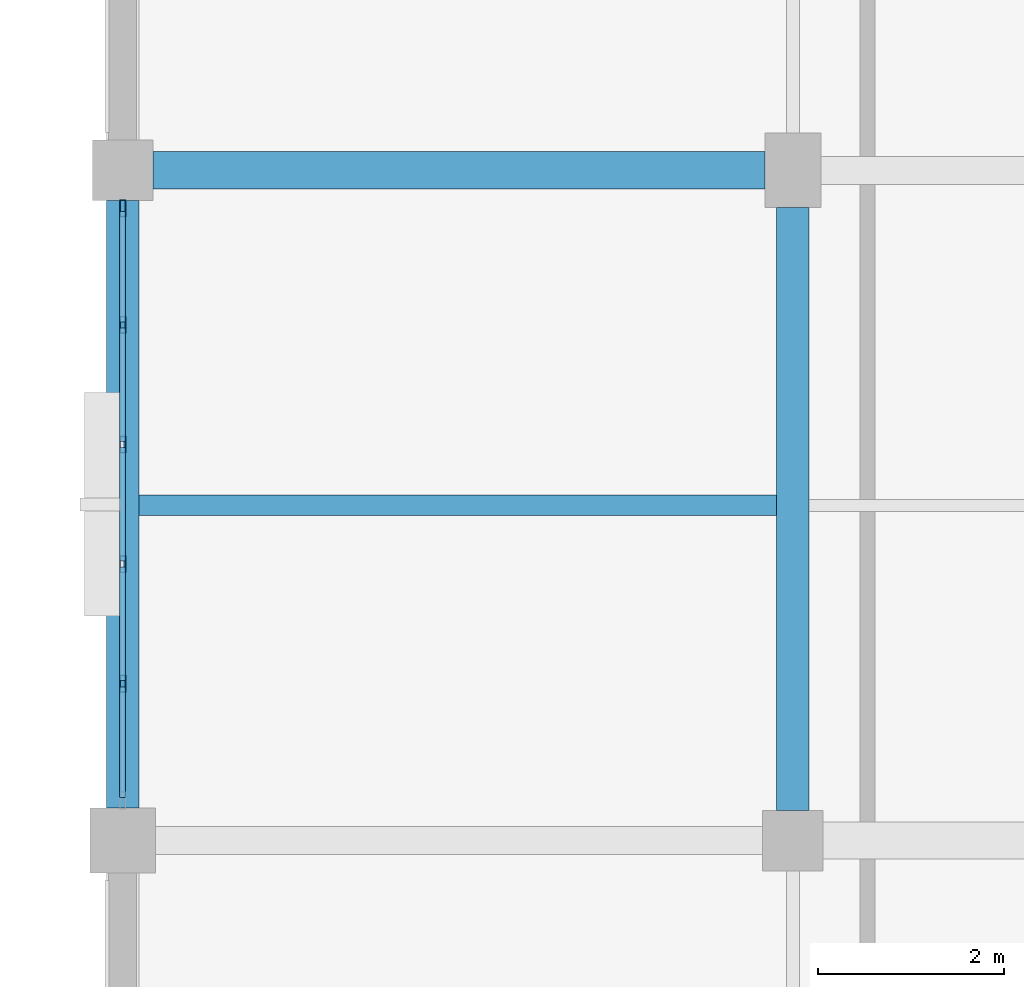
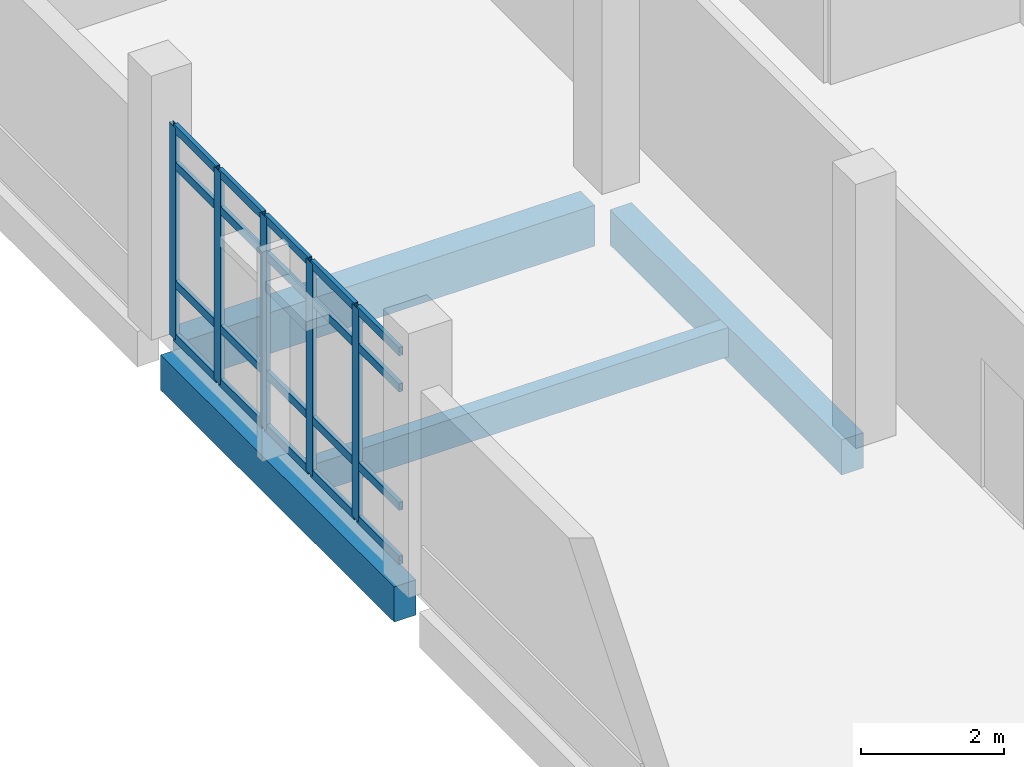
# One storey, part 15 of 116: 25 members, 4 beams, 1 element without a shape of its own.
"""IFC4 building model written with IfcOpenShell, lengths in metres."""

from ifc_helpers import new_model, si_unit, direction, frame, origin, origin_2d, place, context, subcontext, project, spatial, rectangle, hollow_rectangle, extrude, material, material_profile, profile_set, type_object, element, aggregate, save


model = new_model("IFC4")

# Units and contexts
model_context = context("Model", 3, precision=1e-05, world=origin(), true_north=direction((0.0, 1.0)))
body_context = subcontext(model_context, "Body", "Model", "MODEL_VIEW")
ifc_project = project(units=[si_unit("LENGTHUNIT", "METRE"), si_unit("AREAUNIT", "SQUARE_METRE"), si_unit("VOLUMEUNIT", "CUBIC_METRE"), si_unit("PLANEANGLEUNIT", "RADIAN"), si_unit("MASSUNIT", "GRAM", prefix="KILO")], contexts=[model_context])

# Site, building, storey
site_placement = place(None, origin())
site = spatial("IfcSite", under=ifc_project, at=site_placement, CompositionType="ELEMENT")
building_placement = place(site_placement, origin())
building = spatial("IfcBuilding", under=site, at=building_placement, Name="Kalluvel Institute of Natural Sciences", CompositionType="ELEMENT")
storey_placement = place(building_placement, frame((0.0, 0.0, 14.39990234375)))
storey = spatial("IfcBuildingStorey", under=building, at=storey_placement, Name="L03", CompositionType="ELEMENT", Elevation=14.39990234375)

# Beam
ifc_material_1 = material(Name="Concrete M40", Category="concrete")
ifc_material_profile_1 = material_profile(ifc_material_1, rectangle(XDim=0.35009765625, YDim=0.60009765625, at=origin_2d()), Name="RCB 350x600")
ifc_profile_set_1 = profile_set([ifc_material_profile_1], Name="Concrete M40")
beam_type_1 = type_object("IfcBeamType", Name="BM-RC350x600", PredefinedType="BEAM", material=ifc_profile_set_1)
beam_1_placement = place(storey_placement, frame((21.199951171875, 28.72509765625, -0.599853515625), z_axis=(0.0, 1.0, 0.0), x_axis=(-1.0, 0.0, 0.0)))
element("IfcBeam", 1, at=beam_1_placement, inside=storey, type_object=beam_type_1, Name="L03 girder GIR-L03-NS-X212-Y284", PredefinedType="BEAM", context=body_context, shape_type="SweptSolid", body=[
    extrude(rectangle(XDim=0.35009765625, YDim=0.60009765625, at=origin_2d()), origin(), (0.0, 0.0, 1.0), 6.474853515625),
])

# Curtain wall, members
ifc_material_2 = material(Name="Aluminium AW-6063 T6", Category="aluminium")
curtain_wall_type = type_object("IfcCurtainWallType", Name="CW-DRY-45", PredefinedType="USERDEFINED", material=ifc_material_2)
curtain_wall_placement = place(storey_placement, origin())
curtain_wall = element("IfcCurtainWall", 2, at=curtain_wall_placement, inside=storey, type_object=curtain_wall_type, Name="L03 Gothic lancet curtain wall CWA-L03-X140-Y288", ObjectType="UNITISED LANCET FACADE", PredefinedType="USERDEFINED")
ifc_material_profile_2 = material_profile(ifc_material_2, hollow_rectangle(XDim=0.06494140625, YDim=0.179931640625, WallThickness=0.00439453125, at=origin_2d()), Name="CWM 65x180")
ifc_profile_set_2 = profile_set([ifc_material_profile_2], Name="Aluminium AW-6063 T6")
member_type_1 = type_object("IfcMemberType", Name="CWM-65x180", PredefinedType="MULLION", material=ifc_profile_set_2)
member_1_placement = place(storey_placement, frame((14.0, 30.0849609375, 0.0), z_axis=(0.0, 0.0, 1.0), x_axis=(-1.0, 0.0, 0.0)))
member_1 = element("IfcMember", 3, at=member_1_placement, type_object=member_type_1, Name="CW-03 mullion 2", PredefinedType="MULLION", context=body_context, shape_type="SweptSolid", body=[
    extrude(hollow_rectangle(XDim=0.06494140625, YDim=0.179931640625, WallThickness=0.00439453125, at=origin_2d()), origin(), (0.0, 0.0, 1.0), 3.6201171875),
])
member_2_placement = place(storey_placement, frame((14.0, 31.3701171875, 0.0), z_axis=(0.0, 0.0, 1.0), x_axis=(-1.0, 0.0, 0.0)))
member_2 = element("IfcMember", 4, at=member_2_placement, type_object=member_type_1, Name="CW-03 mullion 3", PredefinedType="MULLION", context=body_context, shape_type="SweptSolid", body=[
    extrude(hollow_rectangle(XDim=0.06494140625, YDim=0.179931640625, WallThickness=0.00439453125, at=origin_2d()), origin(), (0.0, 0.0, 1.0), 3.6201171875),
])
member_3_placement = place(storey_placement, frame((14.0, 32.655029296875, 0.0), z_axis=(0.0, 0.0, 1.0), x_axis=(-1.0, 0.0, 0.0)))
member_3 = element("IfcMember", 5, at=member_3_placement, type_object=member_type_1, Name="CW-03 mullion 4", PredefinedType="MULLION", context=body_context, shape_type="SweptSolid", body=[
    extrude(hollow_rectangle(XDim=0.06494140625, YDim=0.179931640625, WallThickness=0.00439453125, at=origin_2d()), origin(), (0.0, 0.0, 1.0), 3.6201171875),
])
member_4_placement = place(storey_placement, frame((14.0, 33.93994140625, 0.0), z_axis=(0.0, 0.0, 1.0), x_axis=(-1.0, 0.0, 0.0)))
member_4 = element("IfcMember", 6, at=member_4_placement, type_object=member_type_1, Name="CW-03 mullion 5", PredefinedType="MULLION", context=body_context, shape_type="SweptSolid", body=[
    extrude(hollow_rectangle(XDim=0.06494140625, YDim=0.179931640625, WallThickness=0.00439453125, at=origin_2d()), origin(), (0.0, 0.0, 1.0), 3.6201171875),
])
member_5_placement = place(storey_placement, frame((14.0, 35.1923828125, 0.0), z_axis=(0.0, 0.0, 1.0), x_axis=(-1.0, 0.0, 0.0)))
member_5 = element("IfcMember", 7, at=member_5_placement, type_object=member_type_1, Name="CW-03 mullion 6", PredefinedType="MULLION", context=body_context, shape_type="SweptSolid", body=[
    extrude(hollow_rectangle(XDim=0.06494140625, YDim=0.179931640625, WallThickness=0.00439453125, at=origin_2d()), origin(), (0.0, 0.0, 1.0), 3.6201171875),
])
ifc_material_profile_3 = material_profile(ifc_material_2, hollow_rectangle(XDim=0.06494140625, YDim=0.139892578125, WallThickness=0.00439453125, at=origin_2d()), Name="CWT 65x140")
ifc_profile_set_3 = profile_set([ifc_material_profile_3], Name="Aluminium AW-6063 T6")
member_type_2 = type_object("IfcMemberType", Name="CWT-65x140", PredefinedType="USERDEFINED", material=ifc_profile_set_3)
member_6_placement = place(storey_placement, frame((14.0, 28.864990234375, 0.03271484375), z_axis=(0.0, 1.0, 0.0), x_axis=(-1.0, 0.0, 0.0)))
member_6 = element("IfcMember", 8, at=member_6_placement, type_object=member_type_2, Name="CW-03 transom 1.1", ObjectType="TRANSOM", PredefinedType="USERDEFINED", context=body_context, shape_type="SweptSolid", body=[
    extrude(hollow_rectangle(XDim=0.06494140625, YDim=0.139892578125, WallThickness=0.00439453125, at=origin_2d()), origin(), (0.0, 0.0, 1.0), 1.1875),
])
member_7_placement = place(storey_placement, frame((14.0, 28.864990234375, 0.9501953125), z_axis=(0.0, 1.0, 0.0), x_axis=(-1.0, 0.0, 0.0)))
member_7 = element("IfcMember", 9, at=member_7_placement, type_object=member_type_2, Name="CW-03 transom 1.2", ObjectType="TRANSOM", PredefinedType="USERDEFINED", context=body_context, shape_type="SweptSolid", body=[
    extrude(hollow_rectangle(XDim=0.06494140625, YDim=0.139892578125, WallThickness=0.00439453125, at=origin_2d()), origin(), (0.0, 0.0, 1.0), 1.1875),
])
member_8_placement = place(storey_placement, frame((14.0, 28.864990234375, 2.97021484375), z_axis=(0.0, 1.0, 0.0), x_axis=(-1.0, 0.0, 0.0)))
member_8 = element("IfcMember", 10, at=member_8_placement, type_object=member_type_2, Name="CW-03 transom 1.3", ObjectType="TRANSOM", PredefinedType="USERDEFINED", context=body_context, shape_type="SweptSolid", body=[
    extrude(hollow_rectangle(XDim=0.06494140625, YDim=0.139892578125, WallThickness=0.00439453125, at=origin_2d()), origin(), (0.0, 0.0, 1.0), 1.1875),
])
member_9_placement = place(storey_placement, frame((14.0, 28.864990234375, 3.587646484375), z_axis=(0.0, 1.0, 0.0), x_axis=(-1.0, 0.0, 0.0)))
member_9 = element("IfcMember", 11, at=member_9_placement, type_object=member_type_2, Name="CW-03 transom 1.4", ObjectType="TRANSOM", PredefinedType="USERDEFINED", context=body_context, shape_type="SweptSolid", body=[
    extrude(hollow_rectangle(XDim=0.06494140625, YDim=0.139892578125, WallThickness=0.00439453125, at=origin_2d()), origin(), (0.0, 0.0, 1.0), 1.1875),
])
member_10_placement = place(storey_placement, frame((14.0, 30.117431640625, 0.03271484375), z_axis=(0.0, 1.0, 0.0), x_axis=(-1.0, 0.0, 0.0)))
member_10 = element("IfcMember", 12, at=member_10_placement, type_object=member_type_2, Name="CW-03 transom 2.1", ObjectType="TRANSOM", PredefinedType="USERDEFINED", context=body_context, shape_type="SweptSolid", body=[
    extrude(hollow_rectangle(XDim=0.06494140625, YDim=0.139892578125, WallThickness=0.00439453125, at=origin_2d()), origin(), (0.0, 0.0, 1.0), 1.219970703125),
])
member_11_placement = place(storey_placement, frame((14.0, 30.117431640625, 0.9501953125), z_axis=(0.0, 1.0, 0.0), x_axis=(-1.0, 0.0, 0.0)))
member_11 = element("IfcMember", 13, at=member_11_placement, type_object=member_type_2, Name="CW-03 transom 2.2", ObjectType="TRANSOM", PredefinedType="USERDEFINED", context=body_context, shape_type="SweptSolid", body=[
    extrude(hollow_rectangle(XDim=0.06494140625, YDim=0.139892578125, WallThickness=0.00439453125, at=origin_2d()), origin(), (0.0, 0.0, 1.0), 1.219970703125),
])
member_12_placement = place(storey_placement, frame((14.0, 30.117431640625, 2.97021484375), z_axis=(0.0, 1.0, 0.0), x_axis=(-1.0, 0.0, 0.0)))
member_12 = element("IfcMember", 14, at=member_12_placement, type_object=member_type_2, Name="CW-03 transom 2.3", ObjectType="TRANSOM", PredefinedType="USERDEFINED", context=body_context, shape_type="SweptSolid", body=[
    extrude(hollow_rectangle(XDim=0.06494140625, YDim=0.139892578125, WallThickness=0.00439453125, at=origin_2d()), origin(), (0.0, 0.0, 1.0), 1.219970703125),
])
member_13_placement = place(storey_placement, frame((14.0, 30.117431640625, 3.587646484375), z_axis=(0.0, 1.0, 0.0), x_axis=(-1.0, 0.0, 0.0)))
member_13 = element("IfcMember", 15, at=member_13_placement, type_object=member_type_2, Name="CW-03 transom 2.4", ObjectType="TRANSOM", PredefinedType="USERDEFINED", context=body_context, shape_type="SweptSolid", body=[
    extrude(hollow_rectangle(XDim=0.06494140625, YDim=0.139892578125, WallThickness=0.00439453125, at=origin_2d()), origin(), (0.0, 0.0, 1.0), 1.219970703125),
])
member_14_placement = place(storey_placement, frame((14.0, 31.402587890625, 0.03271484375), z_axis=(0.0, 1.0, 0.0), x_axis=(-1.0, 0.0, 0.0)))
member_14 = element("IfcMember", 16, at=member_14_placement, type_object=member_type_2, Name="CW-03 transom 3.1", ObjectType="TRANSOM", PredefinedType="USERDEFINED", context=body_context, shape_type="SweptSolid", body=[
    extrude(hollow_rectangle(XDim=0.06494140625, YDim=0.139892578125, WallThickness=0.00439453125, at=origin_2d()), origin(), (0.0, 0.0, 1.0), 1.219970703125),
])
member_15_placement = place(storey_placement, frame((14.0, 31.402587890625, 0.9501953125), z_axis=(0.0, 1.0, 0.0), x_axis=(-1.0, 0.0, 0.0)))
member_15 = element("IfcMember", 17, at=member_15_placement, type_object=member_type_2, Name="CW-03 transom 3.2", ObjectType="TRANSOM", PredefinedType="USERDEFINED", context=body_context, shape_type="SweptSolid", body=[
    extrude(hollow_rectangle(XDim=0.06494140625, YDim=0.139892578125, WallThickness=0.00439453125, at=origin_2d()), origin(), (0.0, 0.0, 1.0), 1.219970703125),
])
member_16_placement = place(storey_placement, frame((14.0, 31.402587890625, 2.97021484375), z_axis=(0.0, 1.0, 0.0), x_axis=(-1.0, 0.0, 0.0)))
member_16 = element("IfcMember", 18, at=member_16_placement, type_object=member_type_2, Name="CW-03 transom 3.3", ObjectType="TRANSOM", PredefinedType="USERDEFINED", context=body_context, shape_type="SweptSolid", body=[
    extrude(hollow_rectangle(XDim=0.06494140625, YDim=0.139892578125, WallThickness=0.00439453125, at=origin_2d()), origin(), (0.0, 0.0, 1.0), 1.219970703125),
])
member_17_placement = place(storey_placement, frame((14.0, 31.402587890625, 3.587646484375), z_axis=(0.0, 1.0, 0.0), x_axis=(-1.0, 0.0, 0.0)))
member_17 = element("IfcMember", 19, at=member_17_placement, type_object=member_type_2, Name="CW-03 transom 3.4", ObjectType="TRANSOM", PredefinedType="USERDEFINED", context=body_context, shape_type="SweptSolid", body=[
    extrude(hollow_rectangle(XDim=0.06494140625, YDim=0.139892578125, WallThickness=0.00439453125, at=origin_2d()), origin(), (0.0, 0.0, 1.0), 1.219970703125),
])
member_18_placement = place(storey_placement, frame((14.0, 32.6875, 0.03271484375), z_axis=(0.0, 1.0, 0.0), x_axis=(-1.0, 0.0, 0.0)))
member_18 = element("IfcMember", 20, at=member_18_placement, type_object=member_type_2, Name="CW-03 transom 4.1", ObjectType="TRANSOM", PredefinedType="USERDEFINED", context=body_context, shape_type="SweptSolid", body=[
    extrude(hollow_rectangle(XDim=0.06494140625, YDim=0.139892578125, WallThickness=0.00439453125, at=origin_2d()), origin(), (0.0, 0.0, 1.0), 1.219970703125),
])
member_19_placement = place(storey_placement, frame((14.0, 32.6875, 0.9501953125), z_axis=(0.0, 1.0, 0.0), x_axis=(-1.0, 0.0, 0.0)))
member_19 = element("IfcMember", 21, at=member_19_placement, type_object=member_type_2, Name="CW-03 transom 4.2", ObjectType="TRANSOM", PredefinedType="USERDEFINED", context=body_context, shape_type="SweptSolid", body=[
    extrude(hollow_rectangle(XDim=0.06494140625, YDim=0.139892578125, WallThickness=0.00439453125, at=origin_2d()), origin(), (0.0, 0.0, 1.0), 1.219970703125),
])
member_20_placement = place(storey_placement, frame((14.0, 32.6875, 2.97021484375), z_axis=(0.0, 1.0, 0.0), x_axis=(-1.0, 0.0, 0.0)))
member_20 = element("IfcMember", 22, at=member_20_placement, type_object=member_type_2, Name="CW-03 transom 4.3", ObjectType="TRANSOM", PredefinedType="USERDEFINED", context=body_context, shape_type="SweptSolid", body=[
    extrude(hollow_rectangle(XDim=0.06494140625, YDim=0.139892578125, WallThickness=0.00439453125, at=origin_2d()), origin(), (0.0, 0.0, 1.0), 1.219970703125),
])
member_21_placement = place(storey_placement, frame((14.0, 32.6875, 3.587646484375), z_axis=(0.0, 1.0, 0.0), x_axis=(-1.0, 0.0, 0.0)))
member_21 = element("IfcMember", 23, at=member_21_placement, type_object=member_type_2, Name="CW-03 transom 4.4", ObjectType="TRANSOM", PredefinedType="USERDEFINED", context=body_context, shape_type="SweptSolid", body=[
    extrude(hollow_rectangle(XDim=0.06494140625, YDim=0.139892578125, WallThickness=0.00439453125, at=origin_2d()), origin(), (0.0, 0.0, 1.0), 1.219970703125),
])
member_22_placement = place(storey_placement, frame((14.0, 33.972412109375, 0.03271484375), z_axis=(0.0, 1.0, 0.0), x_axis=(-1.0, 0.0, 0.0)))
member_22 = element("IfcMember", 24, at=member_22_placement, type_object=member_type_2, Name="CW-03 transom 5.1", ObjectType="TRANSOM", PredefinedType="USERDEFINED", context=body_context, shape_type="SweptSolid", body=[
    extrude(hollow_rectangle(XDim=0.06494140625, YDim=0.139892578125, WallThickness=0.00439453125, at=origin_2d()), origin(), (0.0, 0.0, 1.0), 1.1875),
])
member_23_placement = place(storey_placement, frame((14.0, 33.972412109375, 0.9501953125), z_axis=(0.0, 1.0, 0.0), x_axis=(-1.0, 0.0, 0.0)))
member_23 = element("IfcMember", 25, at=member_23_placement, type_object=member_type_2, Name="CW-03 transom 5.2", ObjectType="TRANSOM", PredefinedType="USERDEFINED", context=body_context, shape_type="SweptSolid", body=[
    extrude(hollow_rectangle(XDim=0.06494140625, YDim=0.139892578125, WallThickness=0.00439453125, at=origin_2d()), origin(), (0.0, 0.0, 1.0), 1.1875),
])
member_24_placement = place(storey_placement, frame((14.0, 33.972412109375, 2.97021484375), z_axis=(0.0, 1.0, 0.0), x_axis=(-1.0, 0.0, 0.0)))
member_24 = element("IfcMember", 26, at=member_24_placement, type_object=member_type_2, Name="CW-03 transom 5.3", ObjectType="TRANSOM", PredefinedType="USERDEFINED", context=body_context, shape_type="SweptSolid", body=[
    extrude(hollow_rectangle(XDim=0.06494140625, YDim=0.139892578125, WallThickness=0.00439453125, at=origin_2d()), origin(), (0.0, 0.0, 1.0), 1.1875),
])
member_25_placement = place(storey_placement, frame((14.0, 33.972412109375, 3.587646484375), z_axis=(0.0, 1.0, 0.0), x_axis=(-1.0, 0.0, 0.0)))
member_25 = element("IfcMember", 27, at=member_25_placement, type_object=member_type_2, Name="CW-03 transom 5.4", ObjectType="TRANSOM", PredefinedType="USERDEFINED", context=body_context, shape_type="SweptSolid", body=[
    extrude(hollow_rectangle(XDim=0.06494140625, YDim=0.139892578125, WallThickness=0.00439453125, at=origin_2d()), origin(), (0.0, 0.0, 1.0), 1.1875),
])
aggregate(curtain_wall, [member_1, member_2, member_3, member_4, member_5, member_6, member_7, member_8, member_9, member_10, member_11, member_12, member_13, member_14, member_15, member_16, member_17, member_18, member_19, member_20, member_21, member_22, member_23, member_24, member_25])

# Beams
ifc_material_profile_4 = material_profile(ifc_material_1, rectangle(XDim=0.35009765625, YDim=0.60009765625, at=origin_2d()), Name="RCB 350x600")
ifc_profile_set_4 = profile_set([ifc_material_profile_4], Name="Concrete M40")
beam_type_2 = type_object("IfcBeamType", Name="SP-RC350x600", PredefinedType="SPANDREL", material=ifc_profile_set_4)
beam_2_placement = place(storey_placement, frame((14.0, 28.75, -0.599853515625), z_axis=(0.0, 1.0, 0.0), x_axis=(-1.0, 0.0, 0.0)))
element("IfcBeam", 28, at=beam_2_placement, inside=storey, type_object=beam_type_2, Name="L03 girder GIR-L03-NS-X140-Y284", PredefinedType="SPANDREL", context=body_context, shape_type="SweptSolid", body=[
    extrude(rectangle(XDim=0.35009765625, YDim=0.60009765625, at=origin_2d()), origin(), (0.0, 0.0, 1.0), 6.52490234375),
])
ifc_material_profile_5 = material_profile(ifc_material_1, rectangle(XDim=0.39990234375, YDim=0.699951171875, at=origin_2d()), Name="RCB 400x700")
ifc_profile_set_5 = profile_set([ifc_material_profile_5], Name="Concrete M40")
beam_type_3 = type_object("IfcBeamType", Name="SP-RC400x700", PredefinedType="SPANDREL", material=ifc_profile_set_5)
beam_3_placement = place(storey_placement, frame((14.324951171875, 35.60009765625, -0.64990234375), z_axis=(1.0, 0.0, 0.0), x_axis=(0.0, 1.0, 0.0)))
element("IfcBeam", 29, at=beam_3_placement, inside=storey, type_object=beam_type_3, Name="L03 girder GIR-L03-EW-X140-Y356", PredefinedType="SPANDREL", context=body_context, shape_type="SweptSolid", body=[
    extrude(rectangle(XDim=0.39990234375, YDim=0.699951171875, at=origin_2d()), origin(), (0.0, 0.0, 1.0), 6.574951171875),
])
ifc_material_profile_6 = material_profile(ifc_material_1, rectangle(XDim=0.219970703125, YDim=0.5, at=origin_2d()), Name="WAF 220x500")
ifc_profile_set_6 = profile_set([ifc_material_profile_6], Name="Concrete M40")
beam_type_4 = type_object("IfcBeamType", Name="WJ-220x500", PredefinedType="JOIST", material=ifc_profile_set_6)
beam_4_placement = place(storey_placement, frame((14.175048828125, 32.0, -0.5498046875), z_axis=(1.0, 0.0, 0.0), x_axis=(0.0, 1.0, 0.0)))
element("IfcBeam", 30, at=beam_4_placement, inside=storey, type_object=beam_type_4, Name="L03 floor rib RIB-L03-0685", PredefinedType="JOIST", context=body_context, shape_type="SweptSolid", body=[
    extrude(rectangle(XDim=0.219970703125, YDim=0.5, at=origin_2d()), origin(), (0.0, 0.0, 1.0), 6.849853515625),
])

save(model, "model.ifc")
